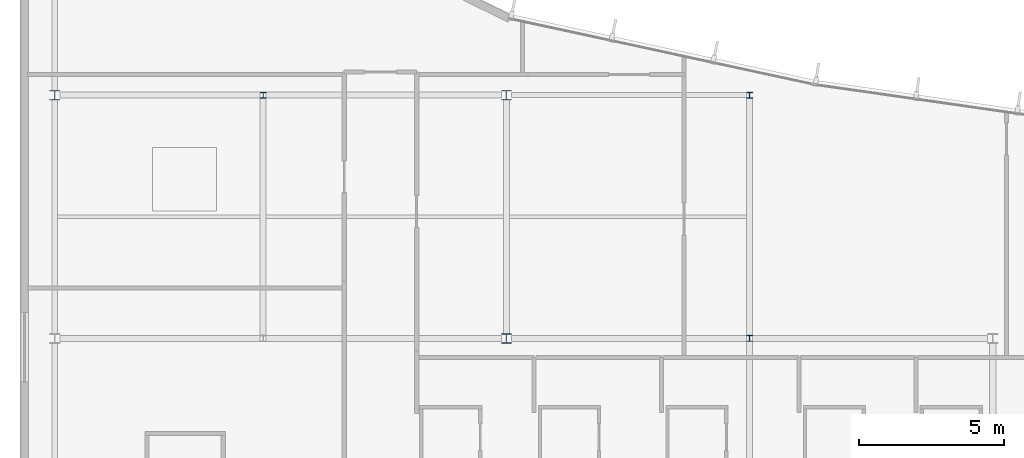
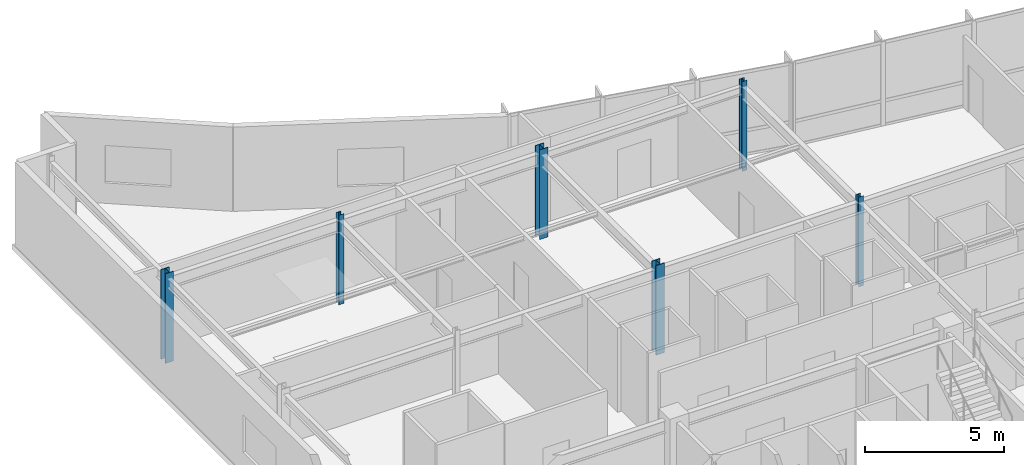
# One storey, part 2 of 16: 6 columns.
"""IFC4 building model written with IfcOpenShell, lengths in metres."""

from ifc_helpers import new_model, si_unit, direction, frame, origin, origin_2d, place, context, subcontext, project, spatial, i_section, extrude, material, material_profile, profile_set, type_object, element, save


model = new_model("IFC4")

# Units and contexts
model_context = context("Model", 3, precision=1e-05, world=origin(), true_north=direction((0.0, 1.0)))
body_context = subcontext(model_context, "Body", "Model", "MODEL_VIEW")
ifc_project = project(units=[si_unit("LENGTHUNIT", "METRE"), si_unit("AREAUNIT", "SQUARE_METRE"), si_unit("VOLUMEUNIT", "CUBIC_METRE"), si_unit("PLANEANGLEUNIT", "RADIAN"), si_unit("MASSUNIT", "GRAM", prefix="KILO")], contexts=[model_context])

# Site, building, storey
site_placement = place(None, origin())
site = spatial("IfcSite", under=ifc_project, at=site_placement, CompositionType="ELEMENT")
building_placement = place(site_placement, origin())
building = spatial("IfcBuilding", under=site, at=building_placement, Name="Varnakote Quay Hospital", CompositionType="ELEMENT")
storey_placement = place(building_placement, frame((0.0, 0.0, 296.050048828125)))
storey = spatial("IfcBuildingStorey", under=building, at=storey_placement, Name="L73", CompositionType="ELEMENT", Elevation=296.050048828125)

# Columns
ifc_material_1 = material(Name="Structural steel AS/NZS 3679.1 Grade 350 L0 (fy 340 MPa)", Category="steel")
ifc_material_profile_1 = material_profile(ifc_material_1, i_section(OverallWidth=0.205078125, OverallDepth=0.2099609375, WebThickness=0.00927734375, FlangeThickness=0.01416015625, FilletRadius=0.011474609375, at=origin_2d()), Name="200UC59.5")
ifc_profile_set_1 = profile_set([ifc_material_profile_1], Name="Structural steel AS/NZS 3679.1 Grade 350 L0 (fy 340 MPa)")
column_type_1 = type_object("IfcColumnType", Name="COL-STL-200UC59-5", PredefinedType="COLUMN", material=ifc_profile_set_1)
for number, where, z_axis, x_axis, name in (
    (1, (25.199951171875, 20.39990234375, 0.0), (0.0, 0.0, 1.0), (1.0, 0.0, 0.0), "L73 Structural Column C-25-20"),
    (2, (8.39990234375, 28.800048828125, 0.0), (0.0, 0.0, 1.0), (1.0, 0.0, 0.0), "L73 Structural Column C-8-29"),
    (3, (25.199951171875, 28.800048828125, 0.0), (0.0, 0.0, 1.0), (1.0, 0.0, 0.0), "L73 Structural Column C-25-29"),
):
    element("IfcColumn", number, at=place(storey_placement, frame(where, z_axis=z_axis, x_axis=x_axis)), inside=storey, type_object=column_type_1, Name=name, PredefinedType="COLUMN", context=body_context, shape_type="SweptSolid", body=[
        extrude(i_section(OverallWidth=0.205078125, OverallDepth=0.2099609375, WebThickness=0.00927734375, FlangeThickness=0.01416015625, FilletRadius=0.011474609375, at=origin_2d()), origin(), (0.0, 0.0, 1.0), 3.949951171875),
    ])
ifc_material_2 = material(Name="Structural steel AS/NZS 3678 Grade 350 (fy 340 MPa)", Category="steel")
ifc_material_profile_2 = material_profile(ifc_material_2, i_section(OverallWidth=0.35009765625, OverallDepth=0.340087890625, WebThickness=0.01611328125, FlangeThickness=0.028076171875, at=origin_2d()), Name="350WC197")
ifc_profile_set_2 = profile_set([ifc_material_profile_2], Name="Structural steel AS/NZS 3678 Grade 350 (fy 340 MPa)")
column_type_2 = type_object("IfcColumnType", Name="COL-STL-350WC197", PredefinedType="COLUMN", material=ifc_profile_set_2)
for number, where, z_axis, x_axis, name in (
    (4, (16.800048828125, 20.39990234375, 0.0), (0.0, 0.0, 1.0), (1.0, 0.0, 0.0), "L73 Structural Column C-17-20"),
    (5, (1.199951171875, 28.800048828125, 0.0), (0.0, 0.0, 1.0), (1.0, 0.0, 0.0), "L73 Structural Column C-1-29"),
    (6, (16.800048828125, 28.800048828125, 0.0), (0.0, 0.0, 1.0), (1.0, 0.0, 0.0), "L73 Structural Column C-17-29"),
):
    element("IfcColumn", number, at=place(storey_placement, frame(where, z_axis=z_axis, x_axis=x_axis)), inside=storey, type_object=column_type_2, Name=name, PredefinedType="COLUMN", context=body_context, shape_type="SweptSolid", body=[
        extrude(i_section(OverallWidth=0.35009765625, OverallDepth=0.340087890625, WebThickness=0.01611328125, FlangeThickness=0.028076171875, at=origin_2d()), origin(), (0.0, 0.0, 1.0), 3.949951171875),
    ])

save(model, "model.ifc")
